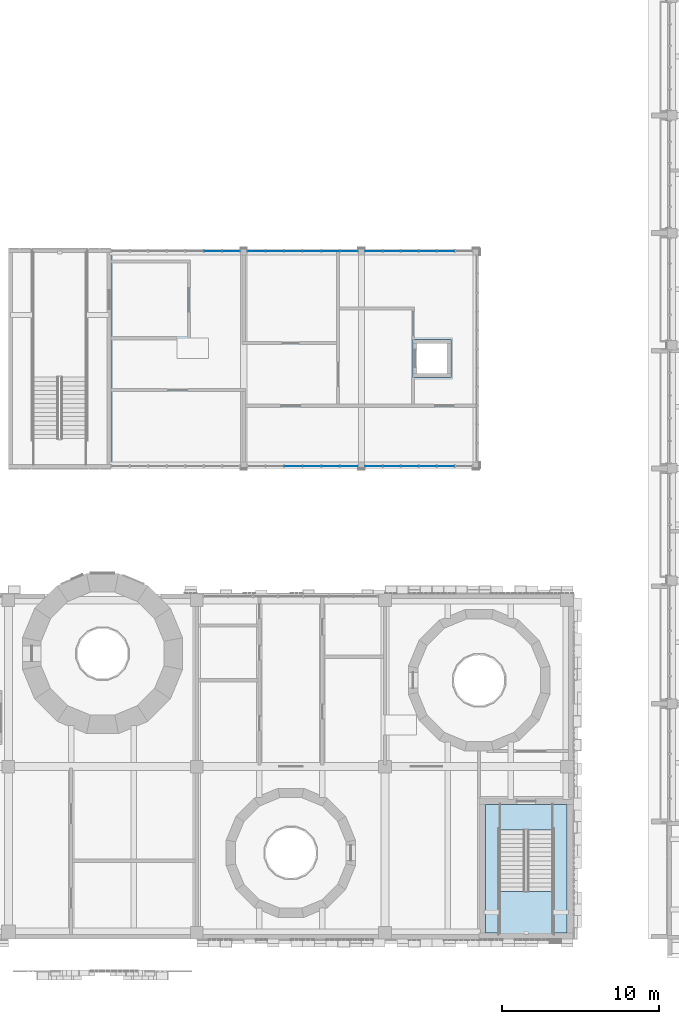
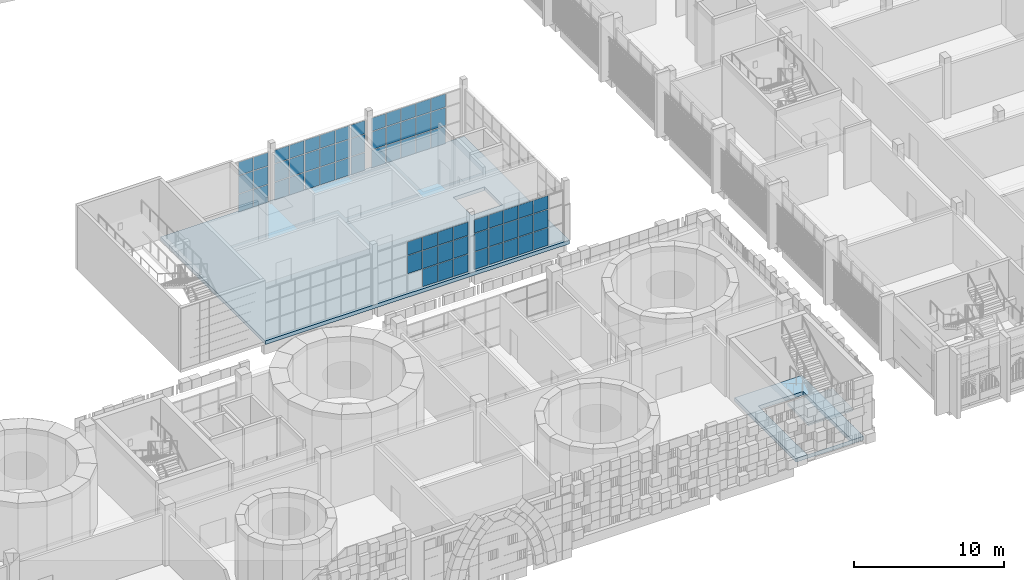
# One storey, part 58 of 125: 65 plates, 3 slabs, 6 elements without a shape of their own.
"""IFC4 building model written with IfcOpenShell, lengths in metres."""

from ifc_helpers import new_model, si_unit, direction, frame, origin, origin_2d, place, context, subcontext, project, spatial, polyline, rectangle, outline, extrude, material, layer, layer_set, type_object, element, aggregate, save


model = new_model("IFC4")

# Units and contexts
model_context = context("Model", 3, precision=1e-05, world=origin(), true_north=direction((0.0, 1.0)))
body_context = subcontext(model_context, "Body", "Model", "MODEL_VIEW")
ifc_project = project(units=[si_unit("LENGTHUNIT", "METRE"), si_unit("AREAUNIT", "SQUARE_METRE"), si_unit("VOLUMEUNIT", "CUBIC_METRE"), si_unit("PLANEANGLEUNIT", "RADIAN"), si_unit("MASSUNIT", "GRAM", prefix="KILO")], contexts=[model_context])

# Site, building, storey
site_placement = place(None, origin())
site = spatial("IfcSite", under=ifc_project, at=site_placement, CompositionType="ELEMENT")
building_placement = place(site_placement, origin())
building = spatial("IfcBuilding", under=site, at=building_placement, Name="Sun Court Science Centre", CompositionType="ELEMENT")
storey_placement = place(building_placement, frame((0.0, 0.0, 6.0)))
storey = spatial("IfcBuildingStorey", under=building, at=storey_placement, Name="L01", CompositionType="ELEMENT", Elevation=6.0)

# Curtain wall, plates
ifc_material_1 = material(Name="Aluminium EN AW-6063 T6", Category="aluminium")
curtain_wall_type = type_object("IfcCurtainWallType", Name="Pavilion curtain wall 1200", PredefinedType="NOTDEFINED", material=ifc_material_1)
curtain_wall_1_placement = place(storey_placement, origin())
curtain_wall_1 = element("IfcCurtainWall", 1, at=curtain_wall_1_placement, inside=storey, type_object=curtain_wall_type, Name="Curtain wall V5 S L01 01", PredefinedType="NOTDEFINED")
ifc_material_2 = material(Name="Toughened safety glass", Category="glass")
ifc_layer_1 = layer(ifc_material_2, 0.0107421875)
ifc_layer_set_1 = layer_set([ifc_layer_1], Name="Toughened safety glass")
plate_type = type_object("IfcPlateType", Name="Pavilion toughened glazing panel 10.8", PredefinedType="CURTAIN_PANEL", material=ifc_layer_set_1)
plate_1_placement = place(storey_placement, frame((59.28759765625, 36.14990234375, 0.0498046875), z_axis=(0.0, 0.0, 1.0), x_axis=(-1.0, 0.0, 0.0)))
plate_1 = element("IfcPlate", 2, at=plate_1_placement, type_object=plate_type, Name="CW3-05 panel 6.1", PredefinedType="CURTAIN_PANEL", context=body_context, shape_type="SweptSolid", body=[
    extrude(rectangle(XDim=1.074951171875, YDim=0.0107421875, at=origin_2d()), origin(), (0.0, 0.0, 1.0), 1.425048828125),
])
plate_2_placement = place(storey_placement, frame((60.425048828125, 36.14990234375, 0.0498046875), z_axis=(0.0, 0.0, 1.0), x_axis=(-1.0, 0.0, 0.0)))
plate_2 = element("IfcPlate", 3, at=plate_2_placement, type_object=plate_type, Name="CW3-05 panel 5.1", PredefinedType="CURTAIN_PANEL", context=body_context, shape_type="SweptSolid", body=[
    extrude(rectangle(XDim=1.10009765625, YDim=0.0107421875, at=origin_2d()), origin(), (0.0, 0.0, 1.0), 1.425048828125),
])
plate_3_placement = place(storey_placement, frame((61.574951171875, 36.14990234375, 0.0498046875), z_axis=(0.0, 0.0, 1.0), x_axis=(-1.0, 0.0, 0.0)))
plate_3 = element("IfcPlate", 4, at=plate_3_placement, type_object=plate_type, Name="CW3-05 panel 4.1", PredefinedType="CURTAIN_PANEL", context=body_context, shape_type="SweptSolid", body=[
    extrude(rectangle(XDim=1.10009765625, YDim=0.0107421875, at=origin_2d()), origin(), (0.0, 0.0, 1.0), 1.425048828125),
])
plate_4_placement = place(storey_placement, frame((62.72509765625, 36.14990234375, 0.0498046875), z_axis=(0.0, 0.0, 1.0), x_axis=(-1.0, 0.0, 0.0)))
plate_4 = element("IfcPlate", 5, at=plate_4_placement, type_object=plate_type, Name="CW3-05 panel 3.1", PredefinedType="CURTAIN_PANEL", context=body_context, shape_type="SweptSolid", body=[
    extrude(rectangle(XDim=1.10009765625, YDim=0.0107421875, at=origin_2d()), origin(), (0.0, 0.0, 1.0), 1.425048828125),
])
plate_5_placement = place(storey_placement, frame((63.875, 36.14990234375, 0.0498046875), z_axis=(0.0, 0.0, 1.0), x_axis=(-1.0, 0.0, 0.0)))
plate_5 = element("IfcPlate", 6, at=plate_5_placement, type_object=plate_type, Name="CW3-05 panel 2.1", PredefinedType="CURTAIN_PANEL", context=body_context, shape_type="SweptSolid", body=[
    extrude(rectangle(XDim=1.10009765625, YDim=0.0107421875, at=origin_2d()), origin(), (0.0, 0.0, 1.0), 1.425048828125),
])
plate_6_placement = place(storey_placement, frame((59.28759765625, 36.14990234375, 1.52490234375), z_axis=(0.0, 0.0, 1.0), x_axis=(-1.0, 0.0, 0.0)))
plate_6 = element("IfcPlate", 7, at=plate_6_placement, type_object=plate_type, Name="CW3-05 panel 6.2", PredefinedType="CURTAIN_PANEL", context=body_context, shape_type="SweptSolid", body=[
    extrude(rectangle(XDim=1.074951171875, YDim=0.0107421875, at=origin_2d()), origin(), (0.0, 0.0, 1.0), 1.449951171875),
])
plate_7_placement = place(storey_placement, frame((60.425048828125, 36.14990234375, 1.52490234375), z_axis=(0.0, 0.0, 1.0), x_axis=(-1.0, 0.0, 0.0)))
plate_7 = element("IfcPlate", 8, at=plate_7_placement, type_object=plate_type, Name="CW3-05 panel 5.2", PredefinedType="CURTAIN_PANEL", context=body_context, shape_type="SweptSolid", body=[
    extrude(rectangle(XDim=1.10009765625, YDim=0.0107421875, at=origin_2d()), origin(), (0.0, 0.0, 1.0), 1.449951171875),
])
plate_8_placement = place(storey_placement, frame((61.574951171875, 36.14990234375, 1.52490234375), z_axis=(0.0, 0.0, 1.0), x_axis=(-1.0, 0.0, 0.0)))
plate_8 = element("IfcPlate", 9, at=plate_8_placement, type_object=plate_type, Name="CW3-05 panel 4.2", PredefinedType="CURTAIN_PANEL", context=body_context, shape_type="SweptSolid", body=[
    extrude(rectangle(XDim=1.10009765625, YDim=0.0107421875, at=origin_2d()), origin(), (0.0, 0.0, 1.0), 1.449951171875),
])
plate_9_placement = place(storey_placement, frame((62.72509765625, 36.14990234375, 1.52490234375), z_axis=(0.0, 0.0, 1.0), x_axis=(-1.0, 0.0, 0.0)))
plate_9 = element("IfcPlate", 10, at=plate_9_placement, type_object=plate_type, Name="CW3-05 panel 3.2", PredefinedType="CURTAIN_PANEL", context=body_context, shape_type="SweptSolid", body=[
    extrude(rectangle(XDim=1.10009765625, YDim=0.0107421875, at=origin_2d()), origin(), (0.0, 0.0, 1.0), 1.449951171875),
])
plate_10_placement = place(storey_placement, frame((63.875, 36.14990234375, 1.52490234375), z_axis=(0.0, 0.0, 1.0), x_axis=(-1.0, 0.0, 0.0)))
plate_10 = element("IfcPlate", 11, at=plate_10_placement, type_object=plate_type, Name="CW3-05 panel 2.2", PredefinedType="CURTAIN_PANEL", context=body_context, shape_type="SweptSolid", body=[
    extrude(rectangle(XDim=1.10009765625, YDim=0.0107421875, at=origin_2d()), origin(), (0.0, 0.0, 1.0), 1.449951171875),
])
plate_11_placement = place(storey_placement, frame((59.28759765625, 36.14990234375, 3.02490234375), z_axis=(0.0, 0.0, 1.0), x_axis=(-1.0, 0.0, 0.0)))
plate_11 = element("IfcPlate", 12, at=plate_11_placement, type_object=plate_type, Name="CW3-05 panel 6.3", PredefinedType="CURTAIN_PANEL", context=body_context, shape_type="SweptSolid", body=[
    extrude(rectangle(XDim=1.074951171875, YDim=0.0107421875, at=origin_2d()), origin(), (0.0, 0.0, 1.0), 1.074951171875),
])
plate_12_placement = place(storey_placement, frame((60.425048828125, 36.14990234375, 3.02490234375), z_axis=(0.0, 0.0, 1.0), x_axis=(-1.0, 0.0, 0.0)))
plate_12 = element("IfcPlate", 13, at=plate_12_placement, type_object=plate_type, Name="CW3-05 panel 5.3", PredefinedType="CURTAIN_PANEL", context=body_context, shape_type="SweptSolid", body=[
    extrude(rectangle(XDim=1.10009765625, YDim=0.0107421875, at=origin_2d()), origin(), (0.0, 0.0, 1.0), 1.074951171875),
])
plate_13_placement = place(storey_placement, frame((61.574951171875, 36.14990234375, 3.02490234375), z_axis=(0.0, 0.0, 1.0), x_axis=(-1.0, 0.0, 0.0)))
plate_13 = element("IfcPlate", 14, at=plate_13_placement, type_object=plate_type, Name="CW3-05 panel 4.3", PredefinedType="CURTAIN_PANEL", context=body_context, shape_type="SweptSolid", body=[
    extrude(rectangle(XDim=1.10009765625, YDim=0.0107421875, at=origin_2d()), origin(), (0.0, 0.0, 1.0), 1.074951171875),
])
plate_14_placement = place(storey_placement, frame((62.72509765625, 36.14990234375, 3.02490234375), z_axis=(0.0, 0.0, 1.0), x_axis=(-1.0, 0.0, 0.0)))
plate_14 = element("IfcPlate", 15, at=plate_14_placement, type_object=plate_type, Name="CW3-05 panel 3.3", PredefinedType="CURTAIN_PANEL", context=body_context, shape_type="SweptSolid", body=[
    extrude(rectangle(XDim=1.10009765625, YDim=0.0107421875, at=origin_2d()), origin(), (0.0, 0.0, 1.0), 1.074951171875),
])
plate_15_placement = place(storey_placement, frame((63.875, 36.14990234375, 3.02490234375), z_axis=(0.0, 0.0, 1.0), x_axis=(-1.0, 0.0, 0.0)))
plate_15 = element("IfcPlate", 16, at=plate_15_placement, type_object=plate_type, Name="CW3-05 panel 2.3", PredefinedType="CURTAIN_PANEL", context=body_context, shape_type="SweptSolid", body=[
    extrude(rectangle(XDim=1.10009765625, YDim=0.0107421875, at=origin_2d()), origin(), (0.0, 0.0, 1.0), 1.074951171875),
])
aggregate(curtain_wall_1, [plate_1, plate_2, plate_3, plate_4, plate_5, plate_6, plate_7, plate_8, plate_9, plate_10, plate_11, plate_12, plate_13, plate_14, plate_15])

curtain_wall_2_placement = place(storey_placement, origin())
curtain_wall_2 = element("IfcCurtainWall", 17, at=curtain_wall_2_placement, inside=storey, type_object=curtain_wall_type, Name="Curtain wall V5 S L01 02", PredefinedType="NOTDEFINED")
plate_16_placement = place(storey_placement, frame((55.341552734375, 36.14990234375, 0.0498046875), z_axis=(0.0, 0.0, 1.0), x_axis=(-1.0, 0.0, 0.0)))
plate_16 = element("IfcPlate", 18, at=plate_16_placement, type_object=plate_type, Name="CW3-06 panel 3.1", PredefinedType="CURTAIN_PANEL", context=body_context, shape_type="SweptSolid", body=[
    extrude(rectangle(XDim=1.13330078125, YDim=0.0107421875, at=origin_2d()), origin(), (0.0, 0.0, 1.0), 1.425048828125),
])
plate_17_placement = place(storey_placement, frame((56.52490234375, 36.14990234375, 0.0498046875), z_axis=(0.0, 0.0, 1.0), x_axis=(-1.0, 0.0, 0.0)))
plate_17 = element("IfcPlate", 19, at=plate_17_placement, type_object=plate_type, Name="CW3-06 panel 2.1", PredefinedType="CURTAIN_PANEL", context=body_context, shape_type="SweptSolid", body=[
    extrude(rectangle(XDim=1.13330078125, YDim=0.0107421875, at=origin_2d()), origin(), (0.0, 0.0, 1.0), 1.425048828125),
])
plate_18_placement = place(storey_placement, frame((57.69580078125, 36.14990234375, 0.0498046875), z_axis=(0.0, 0.0, 1.0), x_axis=(-1.0, 0.0, 0.0)))
plate_18 = element("IfcPlate", 20, at=plate_18_placement, type_object=plate_type, Name="CW3-06 panel 1.1", PredefinedType="CURTAIN_PANEL", context=body_context, shape_type="SweptSolid", body=[
    extrude(rectangle(XDim=1.1083984375, YDim=0.0107421875, at=origin_2d()), origin(), (0.0, 0.0, 1.0), 1.425048828125),
])
plate_19_placement = place(storey_placement, frame((54.158447265625, 36.14990234375, 1.52490234375), z_axis=(0.0, 0.0, 1.0), x_axis=(-1.0, 0.0, 0.0)))
plate_19 = element("IfcPlate", 21, at=plate_19_placement, type_object=plate_type, Name="CW3-06 panel 4.2", PredefinedType="CURTAIN_PANEL", context=body_context, shape_type="SweptSolid", body=[
    extrude(rectangle(XDim=1.13330078125, YDim=0.0107421875, at=origin_2d()), origin(), (0.0, 0.0, 1.0), 1.449951171875),
])
plate_20_placement = place(storey_placement, frame((55.341552734375, 36.14990234375, 1.52490234375), z_axis=(0.0, 0.0, 1.0), x_axis=(-1.0, 0.0, 0.0)))
plate_20 = element("IfcPlate", 22, at=plate_20_placement, type_object=plate_type, Name="CW3-06 panel 3.2", PredefinedType="CURTAIN_PANEL", context=body_context, shape_type="SweptSolid", body=[
    extrude(rectangle(XDim=1.13330078125, YDim=0.0107421875, at=origin_2d()), origin(), (0.0, 0.0, 1.0), 1.449951171875),
])
plate_21_placement = place(storey_placement, frame((56.52490234375, 36.14990234375, 1.52490234375), z_axis=(0.0, 0.0, 1.0), x_axis=(-1.0, 0.0, 0.0)))
plate_21 = element("IfcPlate", 23, at=plate_21_placement, type_object=plate_type, Name="CW3-06 panel 2.2", PredefinedType="CURTAIN_PANEL", context=body_context, shape_type="SweptSolid", body=[
    extrude(rectangle(XDim=1.13330078125, YDim=0.0107421875, at=origin_2d()), origin(), (0.0, 0.0, 1.0), 1.449951171875),
])
plate_22_placement = place(storey_placement, frame((57.69580078125, 36.14990234375, 1.52490234375), z_axis=(0.0, 0.0, 1.0), x_axis=(-1.0, 0.0, 0.0)))
plate_22 = element("IfcPlate", 24, at=plate_22_placement, type_object=plate_type, Name="CW3-06 panel 1.2", PredefinedType="CURTAIN_PANEL", context=body_context, shape_type="SweptSolid", body=[
    extrude(rectangle(XDim=1.1083984375, YDim=0.0107421875, at=origin_2d()), origin(), (0.0, 0.0, 1.0), 1.449951171875),
])
plate_23_placement = place(storey_placement, frame((54.158447265625, 36.14990234375, 3.02490234375), z_axis=(0.0, 0.0, 1.0), x_axis=(-1.0, 0.0, 0.0)))
plate_23 = element("IfcPlate", 25, at=plate_23_placement, type_object=plate_type, Name="CW3-06 panel 4.3", PredefinedType="CURTAIN_PANEL", context=body_context, shape_type="SweptSolid", body=[
    extrude(rectangle(XDim=1.13330078125, YDim=0.0107421875, at=origin_2d()), origin(), (0.0, 0.0, 1.0), 1.074951171875),
])
plate_24_placement = place(storey_placement, frame((55.341552734375, 36.14990234375, 3.02490234375), z_axis=(0.0, 0.0, 1.0), x_axis=(-1.0, 0.0, 0.0)))
plate_24 = element("IfcPlate", 26, at=plate_24_placement, type_object=plate_type, Name="CW3-06 panel 3.3", PredefinedType="CURTAIN_PANEL", context=body_context, shape_type="SweptSolid", body=[
    extrude(rectangle(XDim=1.13330078125, YDim=0.0107421875, at=origin_2d()), origin(), (0.0, 0.0, 1.0), 1.074951171875),
])
plate_25_placement = place(storey_placement, frame((56.52490234375, 36.14990234375, 3.02490234375), z_axis=(0.0, 0.0, 1.0), x_axis=(-1.0, 0.0, 0.0)))
plate_25 = element("IfcPlate", 27, at=plate_25_placement, type_object=plate_type, Name="CW3-06 panel 2.3", PredefinedType="CURTAIN_PANEL", context=body_context, shape_type="SweptSolid", body=[
    extrude(rectangle(XDim=1.13330078125, YDim=0.0107421875, at=origin_2d()), origin(), (0.0, 0.0, 1.0), 1.074951171875),
])
plate_26_placement = place(storey_placement, frame((57.69580078125, 36.14990234375, 3.02490234375), z_axis=(0.0, 0.0, 1.0), x_axis=(-1.0, 0.0, 0.0)))
plate_26 = element("IfcPlate", 28, at=plate_26_placement, type_object=plate_type, Name="CW3-06 panel 1.3", PredefinedType="CURTAIN_PANEL", context=body_context, shape_type="SweptSolid", body=[
    extrude(rectangle(XDim=1.1083984375, YDim=0.0107421875, at=origin_2d()), origin(), (0.0, 0.0, 1.0), 1.074951171875),
])
aggregate(curtain_wall_2, [plate_16, plate_17, plate_18, plate_19, plate_20, plate_21, plate_22, plate_23, plate_24, plate_25, plate_26])

curtain_wall_3_placement = place(storey_placement, origin())
curtain_wall_3 = element("IfcCurtainWall", 29, at=curtain_wall_3_placement, inside=storey, type_object=curtain_wall_type, Name="Curtain wall V5 N L01 01", PredefinedType="NOTDEFINED")
plate_27_placement = place(storey_placement, frame((49.0322265625, 49.85009765625, 0.0498046875), z_axis=(0.0, 0.0, 1.0), x_axis=(1.0, 0.0, 0.0)))
plate_27 = element("IfcPlate", 30, at=plate_27_placement, type_object=plate_type, Name="CW3-14 panel 6.1", PredefinedType="CURTAIN_PANEL", context=body_context, shape_type="SweptSolid", body=[
    extrude(rectangle(XDim=1.128662109375, YDim=0.0107421875, at=origin_2d()), origin(), (0.0, 0.0, 1.0), 1.425048828125),
])
plate_28_placement = place(storey_placement, frame((50.1982421875, 49.85009765625, 0.0498046875), z_axis=(0.0, 0.0, 1.0), x_axis=(1.0, 0.0, 0.0)))
plate_28 = element("IfcPlate", 31, at=plate_28_placement, type_object=plate_type, Name="CW3-14 panel 7.1", PredefinedType="CURTAIN_PANEL", context=body_context, shape_type="SweptSolid", body=[
    extrude(rectangle(XDim=1.103515625, YDim=0.0107421875, at=origin_2d()), origin(), (0.0, 0.0, 1.0), 1.425048828125),
])
plate_29_placement = place(storey_placement, frame((49.0322265625, 49.85009765625, 1.52490234375), z_axis=(0.0, 0.0, 1.0), x_axis=(1.0, 0.0, 0.0)))
plate_29 = element("IfcPlate", 32, at=plate_29_placement, type_object=plate_type, Name="CW3-14 panel 6.2", PredefinedType="CURTAIN_PANEL", context=body_context, shape_type="SweptSolid", body=[
    extrude(rectangle(XDim=1.128662109375, YDim=0.0107421875, at=origin_2d()), origin(), (0.0, 0.0, 1.0), 1.449951171875),
])
plate_30_placement = place(storey_placement, frame((50.1982421875, 49.85009765625, 1.52490234375), z_axis=(0.0, 0.0, 1.0), x_axis=(1.0, 0.0, 0.0)))
plate_30 = element("IfcPlate", 33, at=plate_30_placement, type_object=plate_type, Name="CW3-14 panel 7.2", PredefinedType="CURTAIN_PANEL", context=body_context, shape_type="SweptSolid", body=[
    extrude(rectangle(XDim=1.103515625, YDim=0.0107421875, at=origin_2d()), origin(), (0.0, 0.0, 1.0), 1.449951171875),
])
plate_31_placement = place(storey_placement, frame((49.0322265625, 49.85009765625, 3.02490234375), z_axis=(0.0, 0.0, 1.0), x_axis=(1.0, 0.0, 0.0)))
plate_31 = element("IfcPlate", 34, at=plate_31_placement, type_object=plate_type, Name="CW3-14 panel 6.3", PredefinedType="CURTAIN_PANEL", context=body_context, shape_type="SweptSolid", body=[
    extrude(rectangle(XDim=1.128662109375, YDim=0.0107421875, at=origin_2d()), origin(), (0.0, 0.0, 1.0), 1.074951171875),
])
plate_32_placement = place(storey_placement, frame((50.1982421875, 49.85009765625, 3.02490234375), z_axis=(0.0, 0.0, 1.0), x_axis=(1.0, 0.0, 0.0)))
plate_32 = element("IfcPlate", 35, at=plate_32_placement, type_object=plate_type, Name="CW3-14 panel 7.3", PredefinedType="CURTAIN_PANEL", context=body_context, shape_type="SweptSolid", body=[
    extrude(rectangle(XDim=1.103515625, YDim=0.0107421875, at=origin_2d()), origin(), (0.0, 0.0, 1.0), 1.074951171875),
])
aggregate(curtain_wall_3, [plate_27, plate_28, plate_29, plate_30, plate_31, plate_32])

curtain_wall_4_placement = place(storey_placement, origin())
curtain_wall_4 = element("IfcCurtainWall", 36, at=curtain_wall_4_placement, inside=storey, type_object=curtain_wall_type, Name="Curtain wall V5 N L01 02", PredefinedType="NOTDEFINED")
plate_33_placement = place(storey_placement, frame((51.80419921875, 49.85009765625, 0.0498046875), z_axis=(0.0, 0.0, 1.0), x_axis=(1.0, 0.0, 0.0)))
plate_33 = element("IfcPlate", 37, at=plate_33_placement, type_object=plate_type, Name="CW3-15 panel 1.1", PredefinedType="CURTAIN_PANEL", context=body_context, shape_type="SweptSolid", body=[
    extrude(rectangle(XDim=1.1083984375, YDim=0.0107421875, at=origin_2d()), origin(), (0.0, 0.0, 1.0), 1.425048828125),
])
plate_34_placement = place(storey_placement, frame((52.97509765625, 49.85009765625, 0.0498046875), z_axis=(0.0, 0.0, 1.0), x_axis=(1.0, 0.0, 0.0)))
plate_34 = element("IfcPlate", 38, at=plate_34_placement, type_object=plate_type, Name="CW3-15 panel 2.1", PredefinedType="CURTAIN_PANEL", context=body_context, shape_type="SweptSolid", body=[
    extrude(rectangle(XDim=1.13330078125, YDim=0.0107421875, at=origin_2d()), origin(), (0.0, 0.0, 1.0), 1.425048828125),
])
plate_35_placement = place(storey_placement, frame((54.158447265625, 49.85009765625, 0.0498046875), z_axis=(0.0, 0.0, 1.0), x_axis=(1.0, 0.0, 0.0)))
plate_35 = element("IfcPlate", 39, at=plate_35_placement, type_object=plate_type, Name="CW3-15 panel 3.1", PredefinedType="CURTAIN_PANEL", context=body_context, shape_type="SweptSolid", body=[
    extrude(rectangle(XDim=1.13330078125, YDim=0.0107421875, at=origin_2d()), origin(), (0.0, 0.0, 1.0), 1.425048828125),
])
plate_36_placement = place(storey_placement, frame((55.341552734375, 49.85009765625, 0.0498046875), z_axis=(0.0, 0.0, 1.0), x_axis=(1.0, 0.0, 0.0)))
plate_36 = element("IfcPlate", 40, at=plate_36_placement, type_object=plate_type, Name="CW3-15 panel 4.1", PredefinedType="CURTAIN_PANEL", context=body_context, shape_type="SweptSolid", body=[
    extrude(rectangle(XDim=1.13330078125, YDim=0.0107421875, at=origin_2d()), origin(), (0.0, 0.0, 1.0), 1.425048828125),
])
plate_37_placement = place(storey_placement, frame((56.52490234375, 49.85009765625, 0.0498046875), z_axis=(0.0, 0.0, 1.0), x_axis=(1.0, 0.0, 0.0)))
plate_37 = element("IfcPlate", 41, at=plate_37_placement, type_object=plate_type, Name="CW3-15 panel 5.1", PredefinedType="CURTAIN_PANEL", context=body_context, shape_type="SweptSolid", body=[
    extrude(rectangle(XDim=1.13330078125, YDim=0.0107421875, at=origin_2d()), origin(), (0.0, 0.0, 1.0), 1.425048828125),
])
plate_38_placement = place(storey_placement, frame((57.69580078125, 49.85009765625, 0.0498046875), z_axis=(0.0, 0.0, 1.0), x_axis=(1.0, 0.0, 0.0)))
plate_38 = element("IfcPlate", 42, at=plate_38_placement, type_object=plate_type, Name="CW3-15 panel 6.1", PredefinedType="CURTAIN_PANEL", context=body_context, shape_type="SweptSolid", body=[
    extrude(rectangle(XDim=1.1083984375, YDim=0.0107421875, at=origin_2d()), origin(), (0.0, 0.0, 1.0), 1.425048828125),
])
plate_39_placement = place(storey_placement, frame((51.80419921875, 49.85009765625, 1.52490234375), z_axis=(0.0, 0.0, 1.0), x_axis=(1.0, 0.0, 0.0)))
plate_39 = element("IfcPlate", 43, at=plate_39_placement, type_object=plate_type, Name="CW3-15 panel 1.2", PredefinedType="CURTAIN_PANEL", context=body_context, shape_type="SweptSolid", body=[
    extrude(rectangle(XDim=1.1083984375, YDim=0.0107421875, at=origin_2d()), origin(), (0.0, 0.0, 1.0), 1.449951171875),
])
plate_40_placement = place(storey_placement, frame((52.97509765625, 49.85009765625, 1.52490234375), z_axis=(0.0, 0.0, 1.0), x_axis=(1.0, 0.0, 0.0)))
plate_40 = element("IfcPlate", 44, at=plate_40_placement, type_object=plate_type, Name="CW3-15 panel 2.2", PredefinedType="CURTAIN_PANEL", context=body_context, shape_type="SweptSolid", body=[
    extrude(rectangle(XDim=1.13330078125, YDim=0.0107421875, at=origin_2d()), origin(), (0.0, 0.0, 1.0), 1.449951171875),
])
plate_41_placement = place(storey_placement, frame((54.158447265625, 49.85009765625, 1.52490234375), z_axis=(0.0, 0.0, 1.0), x_axis=(1.0, 0.0, 0.0)))
plate_41 = element("IfcPlate", 45, at=plate_41_placement, type_object=plate_type, Name="CW3-15 panel 3.2", PredefinedType="CURTAIN_PANEL", context=body_context, shape_type="SweptSolid", body=[
    extrude(rectangle(XDim=1.13330078125, YDim=0.0107421875, at=origin_2d()), origin(), (0.0, 0.0, 1.0), 1.449951171875),
])
plate_42_placement = place(storey_placement, frame((55.341552734375, 49.85009765625, 1.52490234375), z_axis=(0.0, 0.0, 1.0), x_axis=(1.0, 0.0, 0.0)))
plate_42 = element("IfcPlate", 46, at=plate_42_placement, type_object=plate_type, Name="CW3-15 panel 4.2", PredefinedType="CURTAIN_PANEL", context=body_context, shape_type="SweptSolid", body=[
    extrude(rectangle(XDim=1.13330078125, YDim=0.0107421875, at=origin_2d()), origin(), (0.0, 0.0, 1.0), 1.449951171875),
])
plate_43_placement = place(storey_placement, frame((56.52490234375, 49.85009765625, 1.52490234375), z_axis=(0.0, 0.0, 1.0), x_axis=(1.0, 0.0, 0.0)))
plate_43 = element("IfcPlate", 47, at=plate_43_placement, type_object=plate_type, Name="CW3-15 panel 5.2", PredefinedType="CURTAIN_PANEL", context=body_context, shape_type="SweptSolid", body=[
    extrude(rectangle(XDim=1.13330078125, YDim=0.0107421875, at=origin_2d()), origin(), (0.0, 0.0, 1.0), 1.449951171875),
])
plate_44_placement = place(storey_placement, frame((57.69580078125, 49.85009765625, 1.52490234375), z_axis=(0.0, 0.0, 1.0), x_axis=(1.0, 0.0, 0.0)))
plate_44 = element("IfcPlate", 48, at=plate_44_placement, type_object=plate_type, Name="CW3-15 panel 6.2", PredefinedType="CURTAIN_PANEL", context=body_context, shape_type="SweptSolid", body=[
    extrude(rectangle(XDim=1.1083984375, YDim=0.0107421875, at=origin_2d()), origin(), (0.0, 0.0, 1.0), 1.449951171875),
])
plate_45_placement = place(storey_placement, frame((51.80419921875, 49.85009765625, 3.02490234375), z_axis=(0.0, 0.0, 1.0), x_axis=(1.0, 0.0, 0.0)))
plate_45 = element("IfcPlate", 49, at=plate_45_placement, type_object=plate_type, Name="CW3-15 panel 1.3", PredefinedType="CURTAIN_PANEL", context=body_context, shape_type="SweptSolid", body=[
    extrude(rectangle(XDim=1.1083984375, YDim=0.0107421875, at=origin_2d()), origin(), (0.0, 0.0, 1.0), 1.074951171875),
])
plate_46_placement = place(storey_placement, frame((52.97509765625, 49.85009765625, 3.02490234375), z_axis=(0.0, 0.0, 1.0), x_axis=(1.0, 0.0, 0.0)))
plate_46 = element("IfcPlate", 50, at=plate_46_placement, type_object=plate_type, Name="CW3-15 panel 2.3", PredefinedType="CURTAIN_PANEL", context=body_context, shape_type="SweptSolid", body=[
    extrude(rectangle(XDim=1.13330078125, YDim=0.0107421875, at=origin_2d()), origin(), (0.0, 0.0, 1.0), 1.074951171875),
])
plate_47_placement = place(storey_placement, frame((54.158447265625, 49.85009765625, 3.02490234375), z_axis=(0.0, 0.0, 1.0), x_axis=(1.0, 0.0, 0.0)))
plate_47 = element("IfcPlate", 51, at=plate_47_placement, type_object=plate_type, Name="CW3-15 panel 3.3", PredefinedType="CURTAIN_PANEL", context=body_context, shape_type="SweptSolid", body=[
    extrude(rectangle(XDim=1.13330078125, YDim=0.0107421875, at=origin_2d()), origin(), (0.0, 0.0, 1.0), 1.074951171875),
])
plate_48_placement = place(storey_placement, frame((55.341552734375, 49.85009765625, 3.02490234375), z_axis=(0.0, 0.0, 1.0), x_axis=(1.0, 0.0, 0.0)))
plate_48 = element("IfcPlate", 52, at=plate_48_placement, type_object=plate_type, Name="CW3-15 panel 4.3", PredefinedType="CURTAIN_PANEL", context=body_context, shape_type="SweptSolid", body=[
    extrude(rectangle(XDim=1.13330078125, YDim=0.0107421875, at=origin_2d()), origin(), (0.0, 0.0, 1.0), 1.074951171875),
])
plate_49_placement = place(storey_placement, frame((56.52490234375, 49.85009765625, 3.02490234375), z_axis=(0.0, 0.0, 1.0), x_axis=(1.0, 0.0, 0.0)))
plate_49 = element("IfcPlate", 53, at=plate_49_placement, type_object=plate_type, Name="CW3-15 panel 5.3", PredefinedType="CURTAIN_PANEL", context=body_context, shape_type="SweptSolid", body=[
    extrude(rectangle(XDim=1.13330078125, YDim=0.0107421875, at=origin_2d()), origin(), (0.0, 0.0, 1.0), 1.074951171875),
])
plate_50_placement = place(storey_placement, frame((57.69580078125, 49.85009765625, 3.02490234375), z_axis=(0.0, 0.0, 1.0), x_axis=(1.0, 0.0, 0.0)))
plate_50 = element("IfcPlate", 54, at=plate_50_placement, type_object=plate_type, Name="CW3-15 panel 6.3", PredefinedType="CURTAIN_PANEL", context=body_context, shape_type="SweptSolid", body=[
    extrude(rectangle(XDim=1.1083984375, YDim=0.0107421875, at=origin_2d()), origin(), (0.0, 0.0, 1.0), 1.074951171875),
])
aggregate(curtain_wall_4, [plate_33, plate_34, plate_35, plate_36, plate_37, plate_38, plate_39, plate_40, plate_41, plate_42, plate_43, plate_44, plate_45, plate_46, plate_47, plate_48, plate_49, plate_50])

curtain_wall_5_placement = place(storey_placement, origin())
curtain_wall_5 = element("IfcCurtainWall", 55, at=curtain_wall_5_placement, inside=storey, type_object=curtain_wall_type, Name="Curtain wall V5 N L01 03", PredefinedType="NOTDEFINED")
plate_51_placement = place(storey_placement, frame((59.28759765625, 49.85009765625, 0.0498046875), z_axis=(0.0, 0.0, 1.0), x_axis=(1.0, 0.0, 0.0)))
plate_51 = element("IfcPlate", 56, at=plate_51_placement, type_object=plate_type, Name="CW3-16 panel 1.1", PredefinedType="CURTAIN_PANEL", context=body_context, shape_type="SweptSolid", body=[
    extrude(rectangle(XDim=1.074951171875, YDim=0.0107421875, at=origin_2d()), origin(), (0.0, 0.0, 1.0), 1.425048828125),
])
plate_52_placement = place(storey_placement, frame((60.425048828125, 49.85009765625, 0.0498046875), z_axis=(0.0, 0.0, 1.0), x_axis=(1.0, 0.0, 0.0)))
plate_52 = element("IfcPlate", 57, at=plate_52_placement, type_object=plate_type, Name="CW3-16 panel 2.1", PredefinedType="CURTAIN_PANEL", context=body_context, shape_type="SweptSolid", body=[
    extrude(rectangle(XDim=1.10009765625, YDim=0.0107421875, at=origin_2d()), origin(), (0.0, 0.0, 1.0), 1.425048828125),
])
plate_53_placement = place(storey_placement, frame((61.574951171875, 49.85009765625, 0.0498046875), z_axis=(0.0, 0.0, 1.0), x_axis=(1.0, 0.0, 0.0)))
plate_53 = element("IfcPlate", 58, at=plate_53_placement, type_object=plate_type, Name="CW3-16 panel 3.1", PredefinedType="CURTAIN_PANEL", context=body_context, shape_type="SweptSolid", body=[
    extrude(rectangle(XDim=1.10009765625, YDim=0.0107421875, at=origin_2d()), origin(), (0.0, 0.0, 1.0), 1.425048828125),
])
plate_54_placement = place(storey_placement, frame((62.72509765625, 49.85009765625, 0.0498046875), z_axis=(0.0, 0.0, 1.0), x_axis=(1.0, 0.0, 0.0)))
plate_54 = element("IfcPlate", 59, at=plate_54_placement, type_object=plate_type, Name="CW3-16 panel 4.1", PredefinedType="CURTAIN_PANEL", context=body_context, shape_type="SweptSolid", body=[
    extrude(rectangle(XDim=1.10009765625, YDim=0.0107421875, at=origin_2d()), origin(), (0.0, 0.0, 1.0), 1.425048828125),
])
plate_55_placement = place(storey_placement, frame((63.875, 49.85009765625, 0.0498046875), z_axis=(0.0, 0.0, 1.0), x_axis=(1.0, 0.0, 0.0)))
plate_55 = element("IfcPlate", 60, at=plate_55_placement, type_object=plate_type, Name="CW3-16 panel 5.1", PredefinedType="CURTAIN_PANEL", context=body_context, shape_type="SweptSolid", body=[
    extrude(rectangle(XDim=1.10009765625, YDim=0.0107421875, at=origin_2d()), origin(), (0.0, 0.0, 1.0), 1.425048828125),
])
plate_56_placement = place(storey_placement, frame((59.28759765625, 49.85009765625, 1.52490234375), z_axis=(0.0, 0.0, 1.0), x_axis=(1.0, 0.0, 0.0)))
plate_56 = element("IfcPlate", 61, at=plate_56_placement, type_object=plate_type, Name="CW3-16 panel 1.2", PredefinedType="CURTAIN_PANEL", context=body_context, shape_type="SweptSolid", body=[
    extrude(rectangle(XDim=1.074951171875, YDim=0.0107421875, at=origin_2d()), origin(), (0.0, 0.0, 1.0), 1.449951171875),
])
plate_57_placement = place(storey_placement, frame((60.425048828125, 49.85009765625, 1.52490234375), z_axis=(0.0, 0.0, 1.0), x_axis=(1.0, 0.0, 0.0)))
plate_57 = element("IfcPlate", 62, at=plate_57_placement, type_object=plate_type, Name="CW3-16 panel 2.2", PredefinedType="CURTAIN_PANEL", context=body_context, shape_type="SweptSolid", body=[
    extrude(rectangle(XDim=1.10009765625, YDim=0.0107421875, at=origin_2d()), origin(), (0.0, 0.0, 1.0), 1.449951171875),
])
plate_58_placement = place(storey_placement, frame((61.574951171875, 49.85009765625, 1.52490234375), z_axis=(0.0, 0.0, 1.0), x_axis=(1.0, 0.0, 0.0)))
plate_58 = element("IfcPlate", 63, at=plate_58_placement, type_object=plate_type, Name="CW3-16 panel 3.2", PredefinedType="CURTAIN_PANEL", context=body_context, shape_type="SweptSolid", body=[
    extrude(rectangle(XDim=1.10009765625, YDim=0.0107421875, at=origin_2d()), origin(), (0.0, 0.0, 1.0), 1.449951171875),
])
plate_59_placement = place(storey_placement, frame((62.72509765625, 49.85009765625, 1.52490234375), z_axis=(0.0, 0.0, 1.0), x_axis=(1.0, 0.0, 0.0)))
plate_59 = element("IfcPlate", 64, at=plate_59_placement, type_object=plate_type, Name="CW3-16 panel 4.2", PredefinedType="CURTAIN_PANEL", context=body_context, shape_type="SweptSolid", body=[
    extrude(rectangle(XDim=1.10009765625, YDim=0.0107421875, at=origin_2d()), origin(), (0.0, 0.0, 1.0), 1.449951171875),
])
plate_60_placement = place(storey_placement, frame((63.875, 49.85009765625, 1.52490234375), z_axis=(0.0, 0.0, 1.0), x_axis=(1.0, 0.0, 0.0)))
plate_60 = element("IfcPlate", 65, at=plate_60_placement, type_object=plate_type, Name="CW3-16 panel 5.2", PredefinedType="CURTAIN_PANEL", context=body_context, shape_type="SweptSolid", body=[
    extrude(rectangle(XDim=1.10009765625, YDim=0.0107421875, at=origin_2d()), origin(), (0.0, 0.0, 1.0), 1.449951171875),
])
plate_61_placement = place(storey_placement, frame((59.28759765625, 49.85009765625, 3.02490234375), z_axis=(0.0, 0.0, 1.0), x_axis=(1.0, 0.0, 0.0)))
plate_61 = element("IfcPlate", 66, at=plate_61_placement, type_object=plate_type, Name="CW3-16 panel 1.3", PredefinedType="CURTAIN_PANEL", context=body_context, shape_type="SweptSolid", body=[
    extrude(rectangle(XDim=1.074951171875, YDim=0.0107421875, at=origin_2d()), origin(), (0.0, 0.0, 1.0), 1.074951171875),
])
plate_62_placement = place(storey_placement, frame((60.425048828125, 49.85009765625, 3.02490234375), z_axis=(0.0, 0.0, 1.0), x_axis=(1.0, 0.0, 0.0)))
plate_62 = element("IfcPlate", 67, at=plate_62_placement, type_object=plate_type, Name="CW3-16 panel 2.3", PredefinedType="CURTAIN_PANEL", context=body_context, shape_type="SweptSolid", body=[
    extrude(rectangle(XDim=1.10009765625, YDim=0.0107421875, at=origin_2d()), origin(), (0.0, 0.0, 1.0), 1.074951171875),
])
plate_63_placement = place(storey_placement, frame((61.574951171875, 49.85009765625, 3.02490234375), z_axis=(0.0, 0.0, 1.0), x_axis=(1.0, 0.0, 0.0)))
plate_63 = element("IfcPlate", 68, at=plate_63_placement, type_object=plate_type, Name="CW3-16 panel 3.3", PredefinedType="CURTAIN_PANEL", context=body_context, shape_type="SweptSolid", body=[
    extrude(rectangle(XDim=1.10009765625, YDim=0.0107421875, at=origin_2d()), origin(), (0.0, 0.0, 1.0), 1.074951171875),
])
plate_64_placement = place(storey_placement, frame((62.72509765625, 49.85009765625, 3.02490234375), z_axis=(0.0, 0.0, 1.0), x_axis=(1.0, 0.0, 0.0)))
plate_64 = element("IfcPlate", 69, at=plate_64_placement, type_object=plate_type, Name="CW3-16 panel 4.3", PredefinedType="CURTAIN_PANEL", context=body_context, shape_type="SweptSolid", body=[
    extrude(rectangle(XDim=1.10009765625, YDim=0.0107421875, at=origin_2d()), origin(), (0.0, 0.0, 1.0), 1.074951171875),
])
plate_65_placement = place(storey_placement, frame((63.875, 49.85009765625, 3.02490234375), z_axis=(0.0, 0.0, 1.0), x_axis=(1.0, 0.0, 0.0)))
plate_65 = element("IfcPlate", 70, at=plate_65_placement, type_object=plate_type, Name="CW3-16 panel 5.3", PredefinedType="CURTAIN_PANEL", context=body_context, shape_type="SweptSolid", body=[
    extrude(rectangle(XDim=1.10009765625, YDim=0.0107421875, at=origin_2d()), origin(), (0.0, 0.0, 1.0), 1.074951171875),
])
aggregate(curtain_wall_5, [plate_51, plate_52, plate_53, plate_54, plate_55, plate_56, plate_57, plate_58, plate_59, plate_60, plate_61, plate_62, plate_63, plate_64, plate_65])

# Slabs
ifc_material_3 = material(Name="Concrete C25/30", Category="concrete")
ifc_layer_2 = layer(ifc_material_3, 0.300048828125)
ifc_layer_set_2 = layer_set([ifc_layer_2], Name="Concrete C25/30")
slab_type_1 = type_object("IfcSlabType", Name="RC floor slab 300", PredefinedType="FLOOR", material=ifc_layer_set_2)
slab_1_placement = place(storey_placement, frame((0.0, 0.0, -0.300048828125)))
element("IfcSlab", 71, at=slab_1_placement, inside=storey, type_object=slab_type_1, Name="Stair SB3 landing slab L01", PredefinedType="FLOOR", context=body_context, shape_type="SweptSolid", body=[
    extrude(outline(polyline([(66.39990234375, 14.60009765625), (66.39990234375, 6.39990234375), (71.60009765625, 6.39990234375), (71.60009765625, 14.60009765625), (66.39990234375, 14.60009765625)]), holes=[polyline([(67.277099609375, 6.405029296875), (67.277099609375, 12.947021484375), (70.722900390625, 12.947021484375), (70.722900390625, 6.405029296875), (67.277099609375, 6.405029296875)])]), origin(), (0.0, 0.0, 1.0), 0.300048828125),
])
slab_2_placement = place(storey_placement, frame((0.0, 0.0, -0.300048828125)))
element("IfcSlab", 72, at=slab_2_placement, inside=storey, type_object=slab_type_1, Name="Floor slab L01", PredefinedType="FLOOR", context=body_context, shape_type="SweptSolid", body=[
    extrude(outline(polyline([(66.0, 50.0), (42.550048828125, 50.0), (42.550048828125, 36.0), (66.0, 36.0), (66.0, 50.0)]), holes=[polyline([(61.78759765625, 41.78759765625), (61.78759765625, 44.21240234375), (64.21240234375, 44.21240234375), (64.21240234375, 41.78759765625), (61.78759765625, 41.78759765625)])]), origin(), (0.0, 0.0, 1.0), 0.300048828125),
])

# Stair, slab
ifc_material_4 = material(Name="Concrete C25/30", Category="concrete")
stair_type = type_object("IfcStairType", Name="Stair 1500 enclosed half-turn", PredefinedType="HALF_TURN_STAIR", material=ifc_material_4)
stair_placement = place(storey_placement, origin())
stair = element("IfcStair", 73, at=stair_placement, inside=storey, type_object=stair_type, Name="L01 Stair SB3", PredefinedType="HALF_TURN_STAIR")
ifc_material_5 = material(Name="Concrete C25/30", Category="concrete")
ifc_layer_3 = layer(ifc_material_5, 0.199951171875)
ifc_layer_set_3 = layer_set([ifc_layer_3], Name="Concrete C25/30")
slab_type_2 = type_object("IfcSlabType", Name="Stair landing 200", PredefinedType="LANDING", material=ifc_layer_set_3)
slab_3_placement = place(storey_placement, frame((0.0, 0.0, 2.425048828125)))
slab_3 = element("IfcSlab", 74, at=slab_3_placement, type_object=slab_type_2, Name="SB3 landing 1", PredefinedType="LANDING", context=body_context, shape_type="SweptSolid", body=[
    extrude(outline(polyline([(67.277099609375, 9.035888671875), (67.277099609375, 6.300048828125), (70.722900390625, 6.300048828125), (70.722900390625, 9.035888671875), (67.277099609375, 9.035888671875)])), origin(), (0.0, 0.0, 1.0), 0.199951171875),
])
aggregate(stair, [slab_3])

save(model, "model.ifc")
